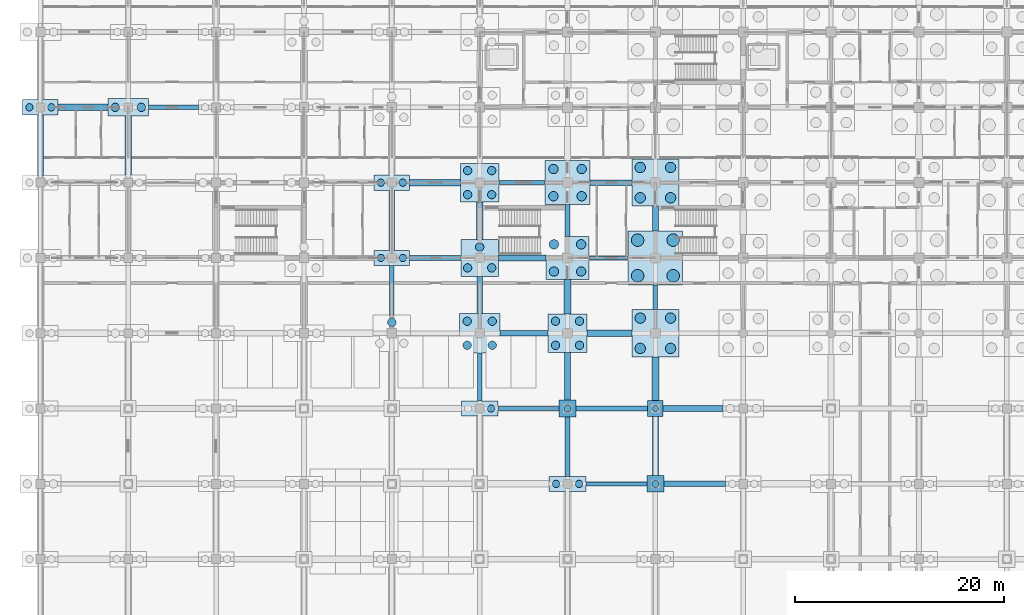
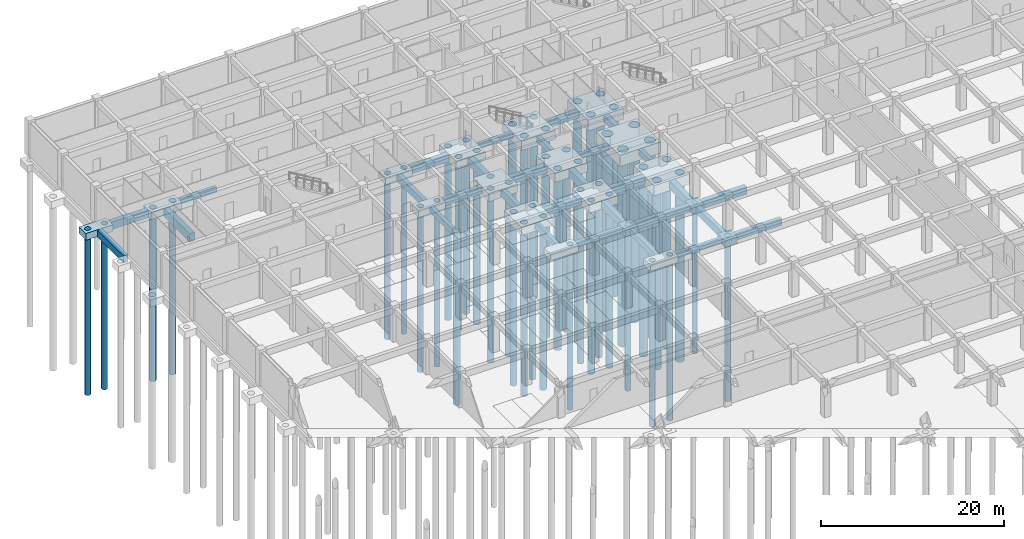
# One storey, part 7 of 85: 50 piles, 48 footings.
"""IFC4 building model written with IfcOpenShell, lengths in metres."""

from ifc_helpers import new_model, si_unit, direction, frame, origin, origin_2d, place, context, subcontext, project, spatial, rectangle, circle, extrude, material, material_profile, profile_set, type_object, element, save


model = new_model("IFC4")

# Units and contexts
model_context = context("Model", 3, precision=1e-05, world=origin(), true_north=direction((0.0, 1.0)))
body_context = subcontext(model_context, "Body", "Model", "MODEL_VIEW")
ifc_project = project(units=[si_unit("LENGTHUNIT", "METRE"), si_unit("AREAUNIT", "SQUARE_METRE"), si_unit("VOLUMEUNIT", "CUBIC_METRE"), si_unit("PLANEANGLEUNIT", "RADIAN"), si_unit("MASSUNIT", "GRAM", prefix="KILO")], contexts=[model_context])

# Site, building, storey
site_placement = place(None, origin())
site = spatial("IfcSite", under=ifc_project, at=site_placement, CompositionType="ELEMENT")
building_placement = place(site_placement, origin())
building = spatial("IfcBuilding", under=site, at=building_placement, Name="Chengyuan Square Courthouse", CompositionType="ELEMENT")
storey_placement = place(building_placement, frame((0.0, 0.0, -10.199951171875)))
storey = spatial("IfcBuildingStorey", under=building, at=storey_placement, Name="B02", CompositionType="ELEMENT", Elevation=-10.199951171875)

# Footings
ifc_material = material(Name="Concrete C40", Category="concrete")
ifc_material_profile_1 = material_profile(ifc_material, rectangle(XDim=0.39990234375, YDim=0.699951171875, at=origin_2d()), Name="GB-400x700")
ifc_profile_set_1 = profile_set([ifc_material_profile_1], Name="Concrete C40")
footing_type_1 = type_object("IfcFootingType", Name="GB-01", PredefinedType="FOOTING_BEAM", material=ifc_profile_set_1)
for number, where, z_axis, x_axis, name in (
    (1, (52.14990234375, 64.800048828125, -1.150146484375), (1.0, 0.0, 0.0), (0.0, 1.0, 0.0), "Ground Tie Beam GB-B02-0187"),
    (2, (43.75, 72.0, -1.150146484375), (1.0, 0.0, 0.0), (0.0, 1.0, 0.0), "Ground Tie Beam GB-B02-0206"),
):
    element("IfcFooting", number, at=place(storey_placement, frame(where, z_axis=z_axis, x_axis=x_axis)), inside=storey, type_object=footing_type_1, Name=name, PredefinedType="FOOTING_BEAM", context=body_context, shape_type="SweptSolid", body=[
        extrude(rectangle(XDim=0.39990234375, YDim=0.699951171875, at=origin_2d()), origin(), (0.0, 0.0, 1.0), 5.85009765625),
    ])
footing_1_placement = place(storey_placement, frame((52.449951171875, 86.39990234375, -1.150146484375), z_axis=(1.0, 0.0, 0.0), x_axis=(0.0, 1.0, 0.0)))
element("IfcFooting", 3, at=footing_1_placement, inside=storey, type_object=footing_type_1, Name="Ground Tie Beam GB-B02-0247", PredefinedType="FOOTING_BEAM", context=body_context, shape_type="SweptSolid", body=[
    extrude(rectangle(XDim=0.39990234375, YDim=0.699951171875, at=origin_2d()), origin(), (0.0, 0.0, 1.0), 3.75),
])
footing_2_placement = place(storey_placement, frame((43.85009765625, 93.60009765625, -1.150146484375), z_axis=(1.0, 0.0, 0.0), x_axis=(0.0, 1.0, 0.0)))
element("IfcFooting", 4, at=footing_2_placement, inside=storey, type_object=footing_type_1, Name="Ground Tie Beam GB-B02-0266", PredefinedType="FOOTING_BEAM", context=body_context, shape_type="SweptSolid", body=[
    extrude(rectangle(XDim=0.39990234375, YDim=0.699951171875, at=origin_2d()), origin(), (0.0, 0.0, 1.0), 4.39990234375),
])
footing_3_placement = place(storey_placement, frame((10.35009765625, 100.800048828125, -1.150146484375), z_axis=(1.0, 0.0, 0.0), x_axis=(0.0, 1.0, 0.0)))
element("IfcFooting", 5, at=footing_3_placement, inside=storey, type_object=footing_type_1, Name="Ground Tie Beam GB-B02-0282", PredefinedType="FOOTING_BEAM", context=body_context, shape_type="SweptSolid", body=[
    extrude(rectangle(XDim=0.39990234375, YDim=0.699951171875, at=origin_2d()), origin(), (0.0, 0.0, 1.0), 4.75),
])
ifc_material_profile_2 = material_profile(ifc_material, rectangle(XDim=0.449951171875, YDim=0.800048828125, at=origin_2d()), Name="GB-450x800")
ifc_profile_set_2 = profile_set([ifc_material_profile_2], Name="Concrete C40")
footing_type_2 = type_object("IfcFootingType", Name="GB-02", PredefinedType="FOOTING_BEAM", material=ifc_profile_set_2)
footing_4_placement = place(storey_placement, frame((33.60009765625, 80.949951171875, -1.199951171875), z_axis=(0.0, 1.0, 0.0), x_axis=(-1.0, 0.0, 0.0)))
element("IfcFooting", 6, at=footing_4_placement, inside=storey, type_object=footing_type_2, Name="Ground Tie Beam GB-B02-0422", PredefinedType="FOOTING_BEAM", context=body_context, shape_type="SweptSolid", body=[
    extrude(rectangle(XDim=0.449951171875, YDim=0.800048828125, at=origin_2d()), origin(), (0.0, 0.0, 1.0), 4.75),
])
footing_5_placement = place(storey_placement, frame((42.0, 72.72509765625, -1.199951171875), z_axis=(0.0, 1.0, 0.0), x_axis=(-1.0, 0.0, 0.0)))
element("IfcFooting", 7, at=footing_5_placement, inside=storey, type_object=footing_type_2, Name="Ground Tie Beam GB-B02-0437", PredefinedType="FOOTING_BEAM", context=body_context, shape_type="SweptSolid", body=[
    extrude(rectangle(XDim=0.449951171875, YDim=0.800048828125, at=origin_2d()), origin(), (0.0, 0.0, 1.0), 4.574951171875),
])
footing_6_placement = place(storey_placement, frame((50.39990234375, 65.52490234375, -1.199951171875), z_axis=(0.0, 1.0, 0.0), x_axis=(-1.0, 0.0, 0.0)))
element("IfcFooting", 8, at=footing_6_placement, inside=storey, type_object=footing_type_2, Name="Ground Tie Beam GB-B02-0452", PredefinedType="FOOTING_BEAM", context=body_context, shape_type="SweptSolid", body=[
    extrude(rectangle(XDim=0.449951171875, YDim=0.800048828125, at=origin_2d()), origin(), (0.0, 0.0, 1.0), 5.675048828125),
])
footing_7_placement = place(storey_placement, frame((50.39990234375, 88.449951171875, -1.199951171875), z_axis=(0.0, 1.0, 0.0), x_axis=(-1.0, 0.0, 0.0)))
element("IfcFooting", 9, at=footing_7_placement, inside=storey, type_object=footing_type_2, Name="Ground Tie Beam GB-B02-0455", PredefinedType="FOOTING_BEAM", context=body_context, shape_type="SweptSolid", body=[
    extrude(rectangle(XDim=0.449951171875, YDim=0.800048828125, at=origin_2d()), origin(), (0.0, 0.0, 1.0), 3.050048828125),
])
footing_8_placement = place(storey_placement, frame((58.800048828125, 81.449951171875, -1.199951171875), z_axis=(0.0, 1.0, 0.0), x_axis=(-1.0, 0.0, 0.0)))
element("IfcFooting", 10, at=footing_8_placement, inside=storey, type_object=footing_type_2, Name="Ground Tie Beam GB-B02-0470", PredefinedType="FOOTING_BEAM", context=body_context, shape_type="SweptSolid", body=[
    extrude(rectangle(XDim=0.449951171875, YDim=0.800048828125, at=origin_2d()), origin(), (0.0, 0.0, 1.0), 2.35009765625),
])
ifc_material_profile_3 = material_profile(ifc_material, rectangle(XDim=0.5, YDim=0.89990234375, at=origin_2d()), Name="GB-500x900")
ifc_profile_set_3 = profile_set([ifc_material_profile_3], Name="Concrete C40")
footing_type_3 = type_object("IfcFootingType", Name="GB-03", PredefinedType="FOOTING_BEAM", material=ifc_profile_set_3)
footing_9_placement = place(storey_placement, frame((59.60009765625, 64.800048828125, -1.25), z_axis=(1.0, 0.0, 0.0), x_axis=(0.0, 1.0, 0.0)))
element("IfcFooting", 11, at=footing_9_placement, inside=storey, type_object=footing_type_3, Name="Ground Tie Beam GB-B02-0188", PredefinedType="FOOTING_BEAM", context=body_context, shape_type="SweptSolid", body=[
    extrude(rectangle(XDim=0.5, YDim=0.89990234375, at=origin_2d()), origin(), (0.0, 0.0, 1.0), 5.89990234375),
])
footing_10_placement = place(storey_placement, frame((51.199951171875, 72.0, -1.25), z_axis=(1.0, 0.0, 0.0), x_axis=(0.0, 1.0, 0.0)))
element("IfcFooting", 12, at=footing_10_placement, inside=storey, type_object=footing_type_3, Name="Ground Tie Beam GB-B02-0207", PredefinedType="FOOTING_BEAM", context=body_context, shape_type="SweptSolid", body=[
    extrude(rectangle(XDim=0.5, YDim=0.89990234375, at=origin_2d()), origin(), (0.0, 0.0, 1.0), 6.85009765625),
])
footing_11_placement = place(storey_placement, frame((43.949951171875, 79.199951171875, -1.25), z_axis=(1.0, 0.0, 0.0), x_axis=(0.0, 1.0, 0.0)))
element("IfcFooting", 13, at=footing_11_placement, inside=storey, type_object=footing_type_3, Name="Ground Tie Beam GB-B02-0226", PredefinedType="FOOTING_BEAM", context=body_context, shape_type="SweptSolid", body=[
    extrude(rectangle(XDim=0.5, YDim=0.89990234375, at=origin_2d()), origin(), (0.0, 0.0, 1.0), 4.60009765625),
])
footing_12_placement = place(storey_placement, frame((35.300048828125, 86.39990234375, -1.25), z_axis=(1.0, 0.0, 0.0), x_axis=(0.0, 1.0, 0.0)))
element("IfcFooting", 14, at=footing_12_placement, inside=storey, type_object=footing_type_3, Name="Ground Tie Beam GB-B02-0245", PredefinedType="FOOTING_BEAM", context=body_context, shape_type="SweptSolid", body=[
    extrude(rectangle(XDim=0.5, YDim=0.89990234375, at=origin_2d()), origin(), (0.0, 0.0, 1.0), 4.89990234375),
])
footing_13_placement = place(storey_placement, frame((52.550048828125, 93.60009765625, -1.25), z_axis=(1.0, 0.0, 0.0), x_axis=(0.0, 1.0, 0.0)))
element("IfcFooting", 15, at=footing_13_placement, inside=storey, type_object=footing_type_3, Name="Ground Tie Beam GB-B02-0267", PredefinedType="FOOTING_BEAM", context=body_context, shape_type="SweptSolid", body=[
    extrude(rectangle(XDim=0.5, YDim=0.89990234375, at=origin_2d()), origin(), (0.0, 0.0, 1.0), 4.0),
])
ifc_material_profile_4 = material_profile(ifc_material, rectangle(XDim=0.550048828125, YDim=0.949951171875, at=origin_2d()), Name="GB-550x950")
ifc_profile_set_4 = profile_set([ifc_material_profile_4], Name="Concrete C40")
footing_type_4 = type_object("IfcFootingType", Name="GB-04", PredefinedType="FOOTING_BEAM", material=ifc_profile_set_4)
for number, where, z_axis, x_axis, name in (
    (16, (0.0, 94.300048828125, -1.275146484375), (0.0, 1.0, 0.0), (-1.0, 0.0, 0.0), "Ground Tie Beam GB-B02-0360"),
    (17, (33.60009765625, 87.10009765625, -1.275146484375), (0.0, 1.0, 0.0), (-1.0, 0.0, 0.0), "Ground Tie Beam GB-B02-0423"),
):
    element("IfcFooting", number, at=place(storey_placement, frame(where, z_axis=z_axis, x_axis=x_axis)), inside=storey, type_object=footing_type_4, Name=name, PredefinedType="FOOTING_BEAM", context=body_context, shape_type="SweptSolid", body=[
        extrude(rectangle(XDim=0.550048828125, YDim=0.949951171875, at=origin_2d()), origin(), (0.0, 0.0, 1.0), 5.75),
    ])
footing_14_placement = place(storey_placement, frame((42.0, 81.10009765625, -1.275146484375), z_axis=(0.0, 1.0, 0.0), x_axis=(-1.0, 0.0, 0.0)))
element("IfcFooting", 18, at=footing_14_placement, inside=storey, type_object=footing_type_4, Name="Ground Tie Beam GB-B02-0438", PredefinedType="FOOTING_BEAM", context=body_context, shape_type="SweptSolid", body=[
    extrude(rectangle(XDim=0.550048828125, YDim=0.949951171875, at=origin_2d()), origin(), (0.0, 0.0, 1.0), 3.5498046875),
])
footing_15_placement = place(storey_placement, frame((50.39990234375, 72.800048828125, -1.275146484375), z_axis=(0.0, 1.0, 0.0), x_axis=(-1.0, 0.0, 0.0)))
element("IfcFooting", 19, at=footing_15_placement, inside=storey, type_object=footing_type_4, Name="Ground Tie Beam GB-B02-0453", PredefinedType="FOOTING_BEAM", context=body_context, shape_type="SweptSolid", body=[
    extrude(rectangle(XDim=0.550048828125, YDim=0.949951171875, at=origin_2d()), origin(), (0.0, 0.0, 1.0), 4.550048828125),
])
footing_16_placement = place(storey_placement, frame((58.800048828125, 65.60009765625, -1.275146484375), z_axis=(0.0, 1.0, 0.0), x_axis=(-1.0, 0.0, 0.0)))
element("IfcFooting", 20, at=footing_16_placement, inside=storey, type_object=footing_type_4, Name="Ground Tie Beam GB-B02-0468", PredefinedType="FOOTING_BEAM", context=body_context, shape_type="SweptSolid", body=[
    extrude(rectangle(XDim=0.550048828125, YDim=0.949951171875, at=origin_2d()), origin(), (0.0, 0.0, 1.0), 5.64990234375),
])
footing_17_placement = place(storey_placement, frame((58.800048828125, 89.0, -1.275146484375), z_axis=(0.0, 1.0, 0.0), x_axis=(-1.0, 0.0, 0.0)))
element("IfcFooting", 21, at=footing_17_placement, inside=storey, type_object=footing_type_4, Name="Ground Tie Beam GB-B02-0471", PredefinedType="FOOTING_BEAM", context=body_context, shape_type="SweptSolid", body=[
    extrude(rectangle(XDim=0.550048828125, YDim=0.949951171875, at=origin_2d()), origin(), (0.0, 0.0, 1.0), 2.35009765625),
])
ifc_material_profile_5 = material_profile(ifc_material, rectangle(XDim=0.60009765625, YDim=1.0, at=origin_2d()), Name="GB-600x1000")
ifc_profile_set_5 = profile_set([ifc_material_profile_5], Name="Concrete C40")
footing_type_5 = type_object("IfcFootingType", Name="GB-05", PredefinedType="FOOTING_BEAM", material=ifc_profile_set_5)
footing_18_placement = place(storey_placement, frame((59.550048828125, 72.0, -1.300048828125), z_axis=(1.0, 0.0, 0.0), x_axis=(0.0, 1.0, 0.0)))
element("IfcFooting", 22, at=footing_18_placement, inside=storey, type_object=footing_type_5, Name="Ground Tie Beam GB-B02-0208", PredefinedType="FOOTING_BEAM", context=body_context, shape_type="SweptSolid", body=[
    extrude(rectangle(XDim=0.60009765625, YDim=1.0, at=origin_2d()), origin(), (0.0, 0.0, 1.0), 5.699951171875),
])
footing_19_placement = place(storey_placement, frame((52.25, 79.199951171875, -1.300048828125), z_axis=(1.0, 0.0, 0.0), x_axis=(0.0, 1.0, 0.0)))
element("IfcFooting", 23, at=footing_19_placement, inside=storey, type_object=footing_type_5, Name="Ground Tie Beam GB-B02-0227", PredefinedType="FOOTING_BEAM", context=body_context, shape_type="SweptSolid", body=[
    extrude(rectangle(XDim=0.60009765625, YDim=1.0, at=origin_2d()), origin(), (0.0, 0.0, 1.0), 4.300048828125),
])
footing_20_placement = place(storey_placement, frame((43.800048828125, 86.39990234375, -1.300048828125), z_axis=(1.0, 0.0, 0.0), x_axis=(0.0, 1.0, 0.0)))
element("IfcFooting", 24, at=footing_20_placement, inside=storey, type_object=footing_type_5, Name="Ground Tie Beam GB-B02-0246", PredefinedType="FOOTING_BEAM", context=body_context, shape_type="SweptSolid", body=[
    extrude(rectangle(XDim=0.60009765625, YDim=1.0, at=origin_2d()), origin(), (0.0, 0.0, 1.0), 4.550048828125),
])
footing_21_placement = place(storey_placement, frame((35.300048828125, 93.60009765625, -1.300048828125), z_axis=(1.0, 0.0, 0.0), x_axis=(0.0, 1.0, 0.0)))
element("IfcFooting", 25, at=footing_21_placement, inside=storey, type_object=footing_type_5, Name="Ground Tie Beam GB-B02-0265", PredefinedType="FOOTING_BEAM", context=body_context, shape_type="SweptSolid", body=[
    extrude(rectangle(XDim=0.60009765625, YDim=1.0, at=origin_2d()), origin(), (0.0, 0.0, 1.0), 4.849853515625),
])
footing_22_placement = place(storey_placement, frame((1.699951171875, 100.800048828125, -1.300048828125), z_axis=(1.0, 0.0, 0.0), x_axis=(0.0, 1.0, 0.0)))
element("IfcFooting", 26, at=footing_22_placement, inside=storey, type_object=footing_type_5, Name="Ground Tie Beam GB-B02-0281", PredefinedType="FOOTING_BEAM", context=body_context, shape_type="SweptSolid", body=[
    extrude(rectangle(XDim=0.60009765625, YDim=1.0, at=origin_2d()), origin(), (0.0, 0.0, 1.0), 4.75),
])
ifc_material_profile_6 = material_profile(ifc_material, rectangle(XDim=0.64990234375, YDim=1.10009765625, at=origin_2d()), Name="GB-650x1100")
ifc_profile_set_6 = profile_set([ifc_material_profile_6], Name="Concrete C40")
footing_type_6 = type_object("IfcFootingType", Name="GB-06", PredefinedType="FOOTING_BEAM", material=ifc_profile_set_6)
footing_23_placement = place(storey_placement, frame((8.39990234375, 94.35009765625, -1.35009765625), z_axis=(0.0, 1.0, 0.0), x_axis=(-1.0, 0.0, 0.0)))
element("IfcFooting", 27, at=footing_23_placement, inside=storey, type_object=footing_type_6, Name="Ground Tie Beam GB-B02-0376", PredefinedType="FOOTING_BEAM", context=body_context, shape_type="SweptSolid", body=[
    extrude(rectangle(XDim=0.64990234375, YDim=1.10009765625, at=origin_2d()), origin(), (0.0, 0.0, 1.0), 5.625),
])
footing_24_placement = place(storey_placement, frame((42.0, 88.14990234375, -1.35009765625), z_axis=(0.0, 1.0, 0.0), x_axis=(-1.0, 0.0, 0.0)))
element("IfcFooting", 28, at=footing_24_placement, inside=storey, type_object=footing_type_6, Name="Ground Tie Beam GB-B02-0439", PredefinedType="FOOTING_BEAM", context=body_context, shape_type="SweptSolid", body=[
    extrude(rectangle(XDim=0.64990234375, YDim=1.10009765625, at=origin_2d()), origin(), (0.0, 0.0, 1.0), 3.60009765625),
])
footing_25_placement = place(storey_placement, frame((50.39990234375, 81.050048828125, -1.35009765625), z_axis=(0.0, 1.0, 0.0), x_axis=(-1.0, 0.0, 0.0)))
element("IfcFooting", 29, at=footing_25_placement, inside=storey, type_object=footing_type_6, Name="Ground Tie Beam GB-B02-0454", PredefinedType="FOOTING_BEAM", context=body_context, shape_type="SweptSolid", body=[
    extrude(rectangle(XDim=0.64990234375, YDim=1.10009765625, at=origin_2d()), origin(), (0.0, 0.0, 1.0), 3.300048828125),
])
footing_26_placement = place(storey_placement, frame((58.800048828125, 72.75, -1.35009765625), z_axis=(0.0, 1.0, 0.0), x_axis=(-1.0, 0.0, 0.0)))
element("IfcFooting", 30, at=footing_26_placement, inside=storey, type_object=footing_type_6, Name="Ground Tie Beam GB-B02-0469", PredefinedType="FOOTING_BEAM", context=body_context, shape_type="SweptSolid", body=[
    extrude(rectangle(XDim=0.64990234375, YDim=1.10009765625, at=origin_2d()), origin(), (0.0, 0.0, 1.0), 4.199951171875),
])
footing_type_7 = type_object("IfcFootingType", Name="PC-02", PredefinedType="PILE_CAP", material=ifc_material)
footing_27_placement = place(storey_placement, frame((58.800048828125, 86.39990234375, -2.300048828125), z_axis=(0.0, 0.0, 1.0), x_axis=(1.0, 0.0, 0.0)))
element("IfcFooting", 31, at=footing_27_placement, inside=storey, type_object=footing_type_7, Name="Pile Cap PC-B02-132", PredefinedType="PILE_CAP", context=body_context, shape_type="SweptSolid", body=[
    extrude(rectangle(XDim=5.199951171875, YDim=5.199951171875, at=origin_2d()), origin(), (0.0, 0.0, 1.0), 1.5),
])
footing_type_8 = type_object("IfcFootingType", Name="PC-03", PredefinedType="PILE_CAP", material=ifc_material)
footing_28_placement = place(storey_placement, frame((58.800048828125, 93.60009765625, -2.25), z_axis=(0.0, 0.0, 1.0), x_axis=(1.0, 0.0, 0.0)))
element("IfcFooting", 32, at=footing_28_placement, inside=storey, type_object=footing_type_8, Name="Pile Cap PC-B02-133", PredefinedType="PILE_CAP", context=body_context, shape_type="SweptSolid", body=[
    extrude(rectangle(XDim=4.5, YDim=4.5, at=origin_2d()), origin(), (0.0, 0.0, 1.0), 1.449951171875),
])
footing_type_9 = type_object("IfcFootingType", Name="PC-04", PredefinedType="PILE_CAP", material=ifc_material)
footing_29_placement = place(storey_placement, frame((58.800048828125, 79.199951171875, -2.150146484375), z_axis=(0.0, 0.0, 1.0), x_axis=(1.0, 0.0, 0.0)))
element("IfcFooting", 33, at=footing_29_placement, inside=storey, type_object=footing_type_9, Name="Pile Cap PC-B02-131", PredefinedType="PILE_CAP", context=body_context, shape_type="SweptSolid", body=[
    extrude(rectangle(XDim=4.5, YDim=4.5, at=origin_2d()), origin(), (0.0, 0.0, 1.0), 1.35009765625),
])
footing_type_10 = type_object("IfcFootingType", Name="PC-07", PredefinedType="PILE_CAP", material=ifc_material)
footing_30_placement = place(storey_placement, frame((50.39990234375, 86.39990234375, -2.0), z_axis=(0.0, 0.0, 1.0), x_axis=(1.0, 0.0, 0.0)))
element("IfcFooting", 34, at=footing_30_placement, inside=storey, type_object=footing_type_10, Name="Pile Cap PC-B02-115", PredefinedType="PILE_CAP", context=body_context, shape_type="SweptSolid", body=[
    extrude(rectangle(XDim=4.10009765625, YDim=4.10009765625, at=origin_2d()), origin(), (0.0, 0.0, 1.0), 1.199951171875),
])
footing_type_11 = type_object("IfcFootingType", Name="PC-08", PredefinedType="PILE_CAP", material=ifc_material)
footing_31_placement = place(storey_placement, frame((50.39990234375, 93.60009765625, -2.050048828125), z_axis=(0.0, 0.0, 1.0), x_axis=(1.0, 0.0, 0.0)))
element("IfcFooting", 35, at=footing_31_placement, inside=storey, type_object=footing_type_11, Name="Pile Cap PC-B02-116", PredefinedType="PILE_CAP", context=body_context, shape_type="SweptSolid", body=[
    extrude(rectangle(XDim=4.300048828125, YDim=4.199951171875, at=origin_2d()), origin(), (0.0, 0.0, 1.0), 1.25),
])
footing_type_12 = type_object("IfcFootingType", Name="PC-09", PredefinedType="PILE_CAP", material=ifc_material)
footing_32_placement = place(storey_placement, frame((50.39990234375, 79.199951171875, -1.949951171875), z_axis=(0.0, 0.0, 1.0), x_axis=(1.0, 0.0, 0.0)))
element("IfcFooting", 36, at=footing_32_placement, inside=storey, type_object=footing_type_12, Name="Pile Cap PC-B02-114", PredefinedType="PILE_CAP", context=body_context, shape_type="SweptSolid", body=[
    extrude(rectangle(XDim=3.699951171875, YDim=3.699951171875, at=origin_2d()), origin(), (0.0, 0.0, 1.0), 1.14990234375),
])
footing_type_13 = type_object("IfcFootingType", Name="PC-10", PredefinedType="PILE_CAP", material=ifc_material)
footing_33_placement = place(storey_placement, frame((42.0, 93.60009765625, -1.85009765625), z_axis=(0.0, 0.0, 1.0), x_axis=(1.0, 0.0, 0.0)))
element("IfcFooting", 37, at=footing_33_placement, inside=storey, type_object=footing_type_13, Name="Pile Cap PC-B02-099", PredefinedType="PILE_CAP", context=body_context, shape_type="SweptSolid", body=[
    extrude(rectangle(XDim=3.699951171875, YDim=3.699951171875, at=origin_2d()), origin(), (0.0, 0.0, 1.0), 1.050048828125),
])
footing_type_14 = type_object("IfcFootingType", Name="PC-11", PredefinedType="PILE_CAP", material=ifc_material)
footing_34_placement = place(storey_placement, frame((42.0, 79.199951171875, -1.900146484375), z_axis=(0.0, 0.0, 1.0), x_axis=(1.0, 0.0, 0.0)))
element("IfcFooting", 38, at=footing_34_placement, inside=storey, type_object=footing_type_14, Name="Pile Cap PC-B02-097", PredefinedType="PILE_CAP", context=body_context, shape_type="SweptSolid", body=[
    extrude(rectangle(XDim=3.89990234375, YDim=3.800048828125, at=origin_2d()), origin(), (0.0, 0.0, 1.0), 1.10009765625),
])
footing_type_15 = type_object("IfcFootingType", Name="PC-12", PredefinedType="PILE_CAP", material=ifc_material)
footing_35_placement = place(storey_placement, frame((42.0, 86.39990234375, -1.900146484375), z_axis=(0.0, 0.0, 1.0), x_axis=(1.0, 0.0, 0.0)))
element("IfcFooting", 39, at=footing_35_placement, inside=storey, type_object=footing_type_15, Name="Pile Cap PC-B02-098", PredefinedType="PILE_CAP", context=body_context, shape_type="SweptSolid", body=[
    extrude(rectangle(XDim=3.60009765625, YDim=3.5, at=origin_2d()), origin(), (0.0, 0.0, 1.0), 1.10009765625),
])
footing_type_16 = type_object("IfcFootingType", Name="PC-16", PredefinedType="PILE_CAP", material=ifc_material)
footing_36_placement = place(storey_placement, frame((8.39990234375, 100.800048828125, -1.75), z_axis=(0.0, 0.0, 1.0), x_axis=(1.0, 0.0, 0.0)))
element("IfcFooting", 40, at=footing_36_placement, inside=storey, type_object=footing_type_16, Name="Pile Cap PC-B02-032", PredefinedType="PILE_CAP", context=body_context, shape_type="SweptSolid", body=[
    extrude(rectangle(XDim=3.89990234375, YDim=1.64990234375, at=origin_2d()), origin(), (0.0, 0.0, 1.0), 0.949951171875),
])
footing_type_17 = type_object("IfcFootingType", Name="PC-17", PredefinedType="PILE_CAP", material=ifc_material)
footing_37_placement = place(storey_placement, frame((33.60009765625, 86.39990234375, -1.75), z_axis=(0.0, 0.0, 1.0), x_axis=(1.0, 0.0, 0.0)))
element("IfcFooting", 41, at=footing_37_placement, inside=storey, type_object=footing_type_17, Name="Pile Cap PC-B02-081", PredefinedType="PILE_CAP", context=body_context, shape_type="SweptSolid", body=[
    extrude(rectangle(XDim=3.39990234375, YDim=1.39990234375, at=origin_2d()), origin(), (0.0, 0.0, 1.0), 0.949951171875),
])
footing_type_18 = type_object("IfcFootingType", Name="PC-18", PredefinedType="PILE_CAP", material=ifc_material)
for number, where, z_axis, x_axis, name in (
    (42, (0.0, 100.800048828125, -1.699951171875), (0.0, 0.0, 1.0), (1.0, 0.0, 0.0), "Pile Cap PC-B02-015"),
    (43, (33.60009765625, 93.60009765625, -1.699951171875), (0.0, 0.0, 1.0), (1.0, 0.0, 0.0), "Pile Cap PC-B02-082"),
):
    element("IfcFooting", number, at=place(storey_placement, frame(where, z_axis=z_axis, x_axis=x_axis)), inside=storey, type_object=footing_type_18, Name=name, PredefinedType="PILE_CAP", context=body_context, shape_type="SweptSolid", body=[
        extrude(rectangle(XDim=3.39990234375, YDim=1.5, at=origin_2d()), origin(), (0.0, 0.0, 1.0), 0.89990234375),
    ])
footing_type_19 = type_object("IfcFootingType", Name="PC-19", PredefinedType="PILE_CAP", material=ifc_material)
for number, where, z_axis, x_axis, name in (
    (44, (42.0, 72.0, -1.650146484375), (0.0, 0.0, 1.0), (1.0, 0.0, 0.0), "Pile Cap PC-B02-096"),
    (45, (50.39990234375, 64.800048828125, -1.650146484375), (0.0, 0.0, 1.0), (1.0, 0.0, 0.0), "Pile Cap PC-B02-112"),
):
    element("IfcFooting", number, at=place(storey_placement, frame(where, z_axis=z_axis, x_axis=x_axis)), inside=storey, type_object=footing_type_19, Name=name, PredefinedType="PILE_CAP", context=body_context, shape_type="SweptSolid", body=[
        extrude(rectangle(XDim=3.5, YDim=1.449951171875, at=origin_2d()), origin(), (0.0, 0.0, 1.0), 0.85009765625),
    ])
footing_type_20 = type_object("IfcFootingType", Name="PC-20", PredefinedType="PILE_CAP", material=ifc_material)
for number, where, z_axis, x_axis, name in (
    (46, (50.39990234375, 72.0, -1.699951171875), (0.0, 0.0, 1.0), (1.0, 0.0, 0.0), "Pile Cap PC-B02-113"),
    (47, (58.800048828125, 64.800048828125, -1.699951171875), (0.0, 0.0, 1.0), (1.0, 0.0, 0.0), "Pile Cap PC-B02-129"),
):
    element("IfcFooting", number, at=place(storey_placement, frame(where, z_axis=z_axis, x_axis=x_axis)), inside=storey, type_object=footing_type_20, Name=name, PredefinedType="PILE_CAP", context=body_context, shape_type="SweptSolid", body=[
        extrude(rectangle(XDim=1.60009765625, YDim=1.60009765625, at=origin_2d()), origin(), (0.0, 0.0, 1.0), 0.89990234375),
    ])
footing_type_21 = type_object("IfcFootingType", Name="PC-21", PredefinedType="PILE_CAP", material=ifc_material)
footing_38_placement = place(storey_placement, frame((58.800048828125, 72.0, -1.650146484375), z_axis=(0.0, 0.0, 1.0), x_axis=(1.0, 0.0, 0.0)))
element("IfcFooting", 48, at=footing_38_placement, inside=storey, type_object=footing_type_21, Name="Pile Cap PC-B02-130", PredefinedType="PILE_CAP", context=body_context, shape_type="SweptSolid", body=[
    extrude(rectangle(XDim=1.5, YDim=1.5, at=origin_2d()), origin(), (0.0, 0.0, 1.0), 0.85009765625),
])

# Piles
ifc_material_profile_7 = material_profile(ifc_material, circle(Radius=0.300048828125, at=origin_2d()), Name="BORED PILE D600")
ifc_profile_set_7 = profile_set([ifc_material_profile_7], Name="Concrete C40")
pile_type_1 = type_object("IfcPileType", Name="PL-01", PredefinedType="BORED", material=ifc_profile_set_7)
pile_placement = place(storey_placement, frame((58.800048828125, 72.0, -0.800048828125), z_axis=(0.0, 0.0, -1.0), x_axis=(1.0, 0.0, 0.0)))
element("IfcPile", 49, at=pile_placement, inside=storey, type_object=pile_type_1, Name="Bored Pile PL-B02-0229", PredefinedType="BORED", context=body_context, shape_type="SweptSolid", body=[
    extrude(circle(Radius=0.300048828125, at=origin_2d()), origin(), (0.0, 0.0, 1.0), 20.0),
])
ifc_material_profile_8 = material_profile(ifc_material, circle(Radius=0.35009765625, at=origin_2d()), Name="BORED PILE D700")
ifc_profile_set_8 = profile_set([ifc_material_profile_8], Name="Concrete C40")
pile_type_2 = type_object("IfcPileType", Name="PL-02", PredefinedType="BORED", material=ifc_profile_set_8)
for number, where, z_axis, x_axis, name in (
    (50, (-1.050048828125, 100.800048828125, -0.800048828125), (0.0, 0.0, -1.0), (1.0, 0.0, 0.0), "Bored Pile PL-B02-0026"),
    (51, (1.050048828125, 100.800048828125, -0.800048828125), (0.0, 0.0, -1.0), (1.0, 0.0, 0.0), "Bored Pile PL-B02-0027"),
    (52, (32.550048828125, 86.39990234375, -0.800048828125), (0.0, 0.0, -1.0), (1.0, 0.0, 0.0), "Bored Pile PL-B02-0132"),
    (53, (34.64990234375, 86.39990234375, -0.800048828125), (0.0, 0.0, -1.0), (1.0, 0.0, 0.0), "Bored Pile PL-B02-0133"),
    (54, (32.550048828125, 93.60009765625, -0.800048828125), (0.0, 0.0, -1.0), (1.0, 0.0, 0.0), "Bored Pile PL-B02-0134"),
    (55, (34.64990234375, 93.60009765625, -0.800048828125), (0.0, 0.0, -1.0), (1.0, 0.0, 0.0), "Bored Pile PL-B02-0135"),
    (56, (43.10009765625, 72.0, -0.800048828125), (0.0, 0.0, -1.0), (1.0, 0.0, 0.0), "Bored Pile PL-B02-0156"),
    (57, (49.300048828125, 64.800048828125, -0.800048828125), (0.0, 0.0, -1.0), (1.0, 0.0, 0.0), "Bored Pile PL-B02-0189"),
    (58, (51.5, 64.800048828125, -0.800048828125), (0.0, 0.0, -1.0), (1.0, 0.0, 0.0), "Bored Pile PL-B02-0190"),
    (59, (50.39990234375, 72.0, -0.800048828125), (0.0, 0.0, -1.0), (1.0, 0.0, 0.0), "Bored Pile PL-B02-0191"),
    (60, (58.800048828125, 64.800048828125, -0.800048828125), (0.0, 0.0, -1.0), (1.0, 0.0, 0.0), "Bored Pile PL-B02-0228"),
):
    element("IfcPile", number, at=place(storey_placement, frame(where, z_axis=z_axis, x_axis=x_axis)), inside=storey, type_object=pile_type_2, Name=name, PredefinedType="BORED", context=body_context, shape_type="SweptSolid", body=[
        extrude(circle(Radius=0.35009765625, at=origin_2d()), origin(), (0.0, 0.0, 1.0), 22.0),
    ])
ifc_material_profile_9 = material_profile(ifc_material, circle(Radius=0.39990234375, at=origin_2d()), Name="BORED PILE D800")
ifc_profile_set_9 = profile_set([ifc_material_profile_9], Name="Concrete C40")
pile_type_3 = type_object("IfcPileType", Name="PL-03", PredefinedType="BORED", material=ifc_profile_set_9)
for number, where, z_axis, x_axis, name in (
    (61, (7.14990234375, 100.800048828125, -0.800048828125), (0.0, 0.0, -1.0), (1.0, 0.0, 0.0), "Bored Pile PL-B02-0051"),
    (62, (9.64990234375, 100.800048828125, -0.800048828125), (0.0, 0.0, -1.0), (1.0, 0.0, 0.0), "Bored Pile PL-B02-0052"),
    (63, (33.60009765625, 80.239990234375, -0.800048828125), (0.0, 0.0, -1.0), (1.0, 0.0, 0.0), "Bored Pile PL-B02-0131"),
    (64, (40.800048828125, 78.050048828125, -0.800048828125), (0.0, 0.0, -1.0), (1.0, 0.0, 0.0), "Bored Pile PL-B02-0157"),
    (65, (43.199951171875, 78.050048828125, -0.800048828125), (0.0, 0.0, -1.0), (1.0, 0.0, 0.0), "Bored Pile PL-B02-0158"),
    (66, (40.800048828125, 80.35009765625, -0.800048828125), (0.0, 0.0, -1.0), (1.0, 0.0, 0.0), "Bored Pile PL-B02-0159"),
    (67, (43.199951171875, 80.35009765625, -0.800048828125), (0.0, 0.0, -1.0), (1.0, 0.0, 0.0), "Bored Pile PL-B02-0160"),
    (68, (40.85009765625, 85.449951171875, -0.800048828125), (0.0, 0.0, -1.0), (1.0, 0.0, 0.0), "Bored Pile PL-B02-0161"),
    (69, (43.14990234375, 85.449951171875, -0.800048828125), (0.0, 0.0, -1.0), (1.0, 0.0, 0.0), "Bored Pile PL-B02-0162"),
    (70, (42.0, 87.43994140625, -0.800048828125), (0.0, 0.0, -1.0), (1.0, 0.0, 0.0), "Bored Pile PL-B02-0163"),
    (71, (40.85009765625, 92.449951171875, -0.800048828125), (0.0, 0.0, -1.0), (1.0, 0.0, 0.0), "Bored Pile PL-B02-0164"),
    (72, (43.14990234375, 92.449951171875, -0.800048828125), (0.0, 0.0, -1.0), (1.0, 0.0, 0.0), "Bored Pile PL-B02-0165"),
    (73, (40.85009765625, 94.75, -0.800048828125), (0.0, 0.0, -1.0), (1.0, 0.0, 0.0), "Bored Pile PL-B02-0166"),
    (74, (43.14990234375, 94.75, -0.800048828125), (0.0, 0.0, -1.0), (1.0, 0.0, 0.0), "Bored Pile PL-B02-0167"),
    (75, (49.25, 78.050048828125, -0.800048828125), (0.0, 0.0, -1.0), (1.0, 0.0, 0.0), "Bored Pile PL-B02-0192"),
    (76, (51.550048828125, 78.050048828125, -0.800048828125), (0.0, 0.0, -1.0), (1.0, 0.0, 0.0), "Bored Pile PL-B02-0193"),
    (77, (49.25, 80.35009765625, -0.800048828125), (0.0, 0.0, -1.0), (1.0, 0.0, 0.0), "Bored Pile PL-B02-0194"),
    (78, (51.550048828125, 80.35009765625, -0.800048828125), (0.0, 0.0, -1.0), (1.0, 0.0, 0.0), "Bored Pile PL-B02-0195"),
):
    element("IfcPile", number, at=place(storey_placement, frame(where, z_axis=z_axis, x_axis=x_axis)), inside=storey, type_object=pile_type_3, Name=name, PredefinedType="BORED", context=body_context, shape_type="SweptSolid", body=[
        extrude(circle(Radius=0.39990234375, at=origin_2d()), origin(), (0.0, 0.0, 1.0), 23.0),
    ])
ifc_material_profile_10 = material_profile(ifc_material, circle(Radius=0.449951171875, at=origin_2d()), Name="BORED PILE D900")
ifc_profile_set_10 = profile_set([ifc_material_profile_10], Name="Concrete C40")
pile_type_4 = type_object("IfcPileType", Name="PL-04", PredefinedType="BORED", material=ifc_profile_set_10)
for number, where, z_axis, x_axis, name in (
    (79, (49.10009765625, 85.10009765625, -0.800048828125), (0.0, 0.0, -1.0), (1.0, 0.0, 0.0), "Bored Pile PL-B02-0196"),
    (80, (51.699951171875, 85.10009765625, -0.800048828125), (0.0, 0.0, -1.0), (1.0, 0.0, 0.0), "Bored Pile PL-B02-0197"),
    (81, (49.10009765625, 87.699951171875, -0.800048828125), (0.0, 0.0, -1.0), (1.0, 0.0, 0.0), "Bored Pile PL-B02-0198"),
    (82, (51.699951171875, 87.699951171875, -0.800048828125), (0.0, 0.0, -1.0), (1.0, 0.0, 0.0), "Bored Pile PL-B02-0199"),
    (83, (49.050048828125, 92.300048828125, -0.800048828125), (0.0, 0.0, -1.0), (1.0, 0.0, 0.0), "Bored Pile PL-B02-0200"),
    (84, (51.75, 92.300048828125, -0.800048828125), (0.0, 0.0, -1.0), (1.0, 0.0, 0.0), "Bored Pile PL-B02-0201"),
    (85, (49.050048828125, 94.89990234375, -0.800048828125), (0.0, 0.0, -1.0), (1.0, 0.0, 0.0), "Bored Pile PL-B02-0202"),
    (86, (51.75, 94.89990234375, -0.800048828125), (0.0, 0.0, -1.0), (1.0, 0.0, 0.0), "Bored Pile PL-B02-0203"),
):
    element("IfcPile", number, at=place(storey_placement, frame(where, z_axis=z_axis, x_axis=x_axis)), inside=storey, type_object=pile_type_4, Name=name, PredefinedType="BORED", context=body_context, shape_type="SweptSolid", body=[
        extrude(circle(Radius=0.449951171875, at=origin_2d()), origin(), (0.0, 0.0, 1.0), 24.0),
    ])
ifc_material_profile_11 = material_profile(ifc_material, circle(Radius=0.5, at=origin_2d()), Name="BORED PILE D1000")
ifc_profile_set_11 = profile_set([ifc_material_profile_11], Name="Concrete C40")
pile_type_5 = type_object("IfcPileType", Name="PL-05", PredefinedType="BORED", material=ifc_profile_set_11)
for number, where, z_axis, x_axis, name in (
    (87, (57.35009765625, 77.75, -0.800048828125), (0.0, 0.0, -1.0), (1.0, 0.0, 0.0), "Bored Pile PL-B02-0230"),
    (88, (60.25, 77.75, -0.800048828125), (0.0, 0.0, -1.0), (1.0, 0.0, 0.0), "Bored Pile PL-B02-0231"),
    (89, (57.35009765625, 80.64990234375, -0.800048828125), (0.0, 0.0, -1.0), (1.0, 0.0, 0.0), "Bored Pile PL-B02-0232"),
    (90, (60.25, 80.64990234375, -0.800048828125), (0.0, 0.0, -1.0), (1.0, 0.0, 0.0), "Bored Pile PL-B02-0233"),
    (91, (57.35009765625, 92.14990234375, -0.800048828125), (0.0, 0.0, -1.0), (1.0, 0.0, 0.0), "Bored Pile PL-B02-0238"),
    (92, (60.25, 92.14990234375, -0.800048828125), (0.0, 0.0, -1.0), (1.0, 0.0, 0.0), "Bored Pile PL-B02-0239"),
    (93, (57.35009765625, 95.050048828125, -0.800048828125), (0.0, 0.0, -1.0), (1.0, 0.0, 0.0), "Bored Pile PL-B02-0240"),
    (94, (60.25, 95.050048828125, -0.800048828125), (0.0, 0.0, -1.0), (1.0, 0.0, 0.0), "Bored Pile PL-B02-0241"),
):
    element("IfcPile", number, at=place(storey_placement, frame(where, z_axis=z_axis, x_axis=x_axis)), inside=storey, type_object=pile_type_5, Name=name, PredefinedType="BORED", context=body_context, shape_type="SweptSolid", body=[
        extrude(circle(Radius=0.5, at=origin_2d()), origin(), (0.0, 0.0, 1.0), 25.0),
    ])
ifc_material_profile_12 = material_profile(ifc_material, circle(Radius=0.60009765625, at=origin_2d()), Name="BORED PILE D1200")
ifc_profile_set_12 = profile_set([ifc_material_profile_12], Name="Concrete C40")
pile_type_6 = type_object("IfcPileType", Name="PL-06", PredefinedType="BORED", material=ifc_profile_set_12)
for number, where, z_axis, x_axis, name in (
    (95, (57.10009765625, 84.699951171875, -0.800048828125), (0.0, 0.0, -1.0), (1.0, 0.0, 0.0), "Bored Pile PL-B02-0234"),
    (96, (60.5, 84.699951171875, -0.800048828125), (0.0, 0.0, -1.0), (1.0, 0.0, 0.0), "Bored Pile PL-B02-0235"),
    (97, (57.10009765625, 88.10009765625, -0.800048828125), (0.0, 0.0, -1.0), (1.0, 0.0, 0.0), "Bored Pile PL-B02-0236"),
    (98, (60.5, 88.10009765625, -0.800048828125), (0.0, 0.0, -1.0), (1.0, 0.0, 0.0), "Bored Pile PL-B02-0237"),
):
    element("IfcPile", number, at=place(storey_placement, frame(where, z_axis=z_axis, x_axis=x_axis)), inside=storey, type_object=pile_type_6, Name=name, PredefinedType="BORED", context=body_context, shape_type="SweptSolid", body=[
        extrude(circle(Radius=0.60009765625, at=origin_2d()), origin(), (0.0, 0.0, 1.0), 26.0),
    ])

save(model, "model.ifc")
